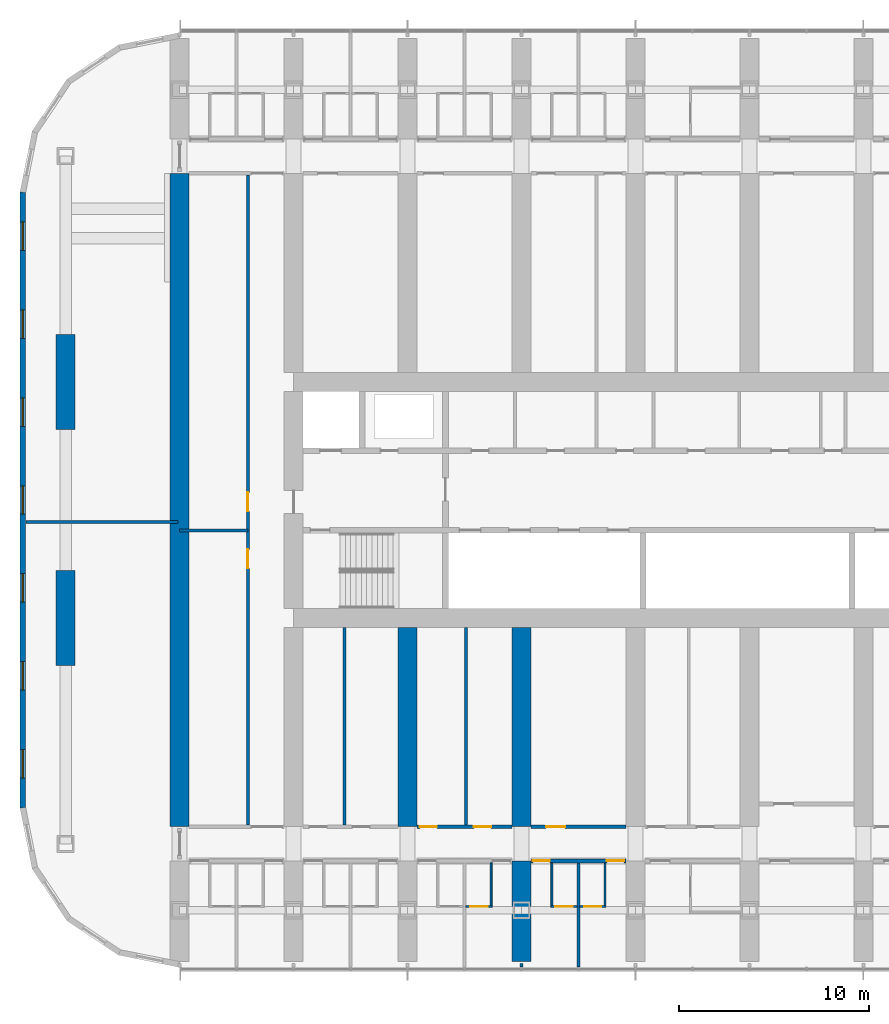
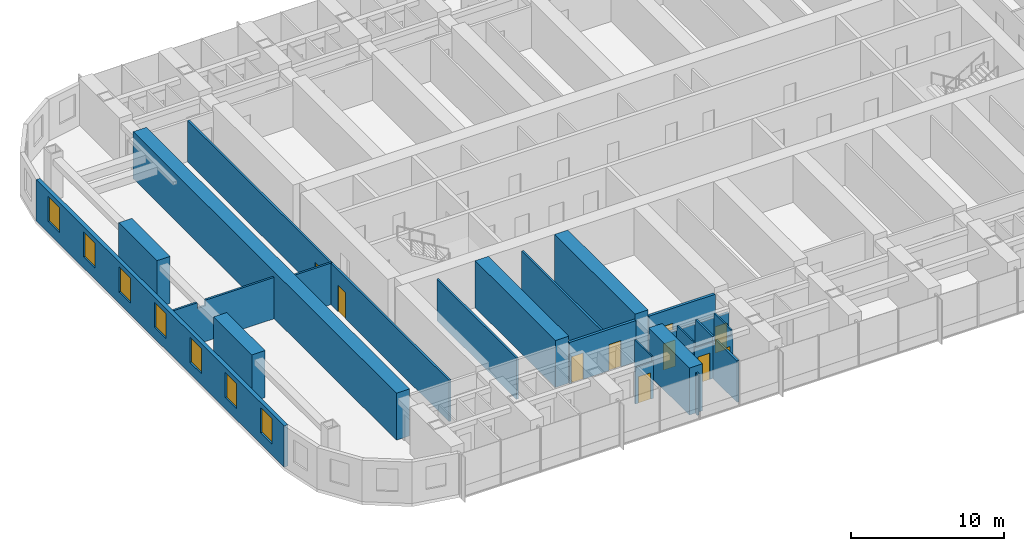
# One storey, part 11 of 24: 23 walls, 10 doors, 7 windows, 17 openings.
"""IFC4 building model written with IfcOpenShell, lengths in metres."""

from ifc_helpers import new_model, si_unit, direction, frame, frame_2d, origin, place, context, subcontext, project, spatial, polyline, rectangle, outline, extrude, material, layer, layer_set, type_object, element, fill, save


model = new_model("IFC4")

# Units and contexts
model_context = context("Model", 3, precision=1e-05, world=origin(), true_north=direction((0.0, 1.0)))
body_context = subcontext(model_context, "Body", "Model", "MODEL_VIEW")
ifc_project = project(units=[si_unit("LENGTHUNIT", "METRE"), si_unit("AREAUNIT", "SQUARE_METRE"), si_unit("VOLUMEUNIT", "CUBIC_METRE"), si_unit("PLANEANGLEUNIT", "RADIAN"), si_unit("MASSUNIT", "GRAM", prefix="KILO")], contexts=[model_context])

# Site, building, storey
site_placement = place(None, origin())
site = spatial("IfcSite", under=ifc_project, at=site_placement, CompositionType="ELEMENT")
building_placement = place(site_placement, origin())
building = spatial("IfcBuilding", under=site, at=building_placement, Name="Orbita Commons", CompositionType="ELEMENT")
storey_placement = place(building_placement, frame((0.0, 0.0, 35.199951171875)))
storey = spatial("IfcBuildingStorey", under=building, at=storey_placement, Name="L08", CompositionType="ELEMENT", Elevation=35.199951171875)

# Wall, openings, doors
ifc_material_1 = material(Name="Concrete blockwork", Category="masonry")
ifc_layer_1 = layer(ifc_material_1, 0.199951171875)
ifc_layer_set_1 = layer_set([ifc_layer_1], Name="Concrete blockwork")
wall_type_1 = type_object("IfcWallType", Name="Corridor wall 200 blockwork", PredefinedType="SOLIDWALL", material=ifc_layer_set_1)
wall_1_placement = place(storey_placement, frame((30.5, 13.0, 0.0), z_axis=(0.0, 0.0, 1.0), x_axis=(1.0, 0.0, 0.0)))
wall_1 = element("IfcWall", 1, at=wall_1_placement, inside=storey, type_object=wall_type_1, Name="Corridor wall 200 blockwork L08", PredefinedType="SOLIDWALL", context=body_context, shape_type="SweptSolid", body=[
    extrude(outline(polyline([(0.0, 0.0), (5.0, 0.0), (5.0, 2.900146484375), (0.0, 2.900146484375), (0.0, 0.0)])), frame((0.0, 0.10009765625, 0.0), z_axis=(0.0, -1.0, 0.0), x_axis=(1.0, 0.0, 0.0)), (0.0, 0.0, 1.0), 0.199951171875),
])
opening_1_placement = place(wall_1_placement, frame((0.10009765625, 0.0, 0.0)))
opening_1 = element("IfcOpeningElement", 2, at=opening_1_placement, cuts=wall_1, Name="Opening D11", PredefinedType="OPENING", context=body_context, shape_type="SweptSolid", body=[
    extrude(rectangle(XDim=0.89990234375, YDim=2.10009765625, at=frame_2d((0.449951171875, 1.050048828125))), frame((0.0, 0.10986328125, 0.0), z_axis=(0.0, -1.0, 0.0), x_axis=(1.0, 0.0, 0.0)), (0.0, 0.0, 1.0), 0.219970703125),
])
opening_2_placement = place(wall_1_placement, frame((4.0, 0.0, 0.0)))
opening_2 = element("IfcOpeningElement", 3, at=opening_2_placement, cuts=wall_1, Name="Opening D11", PredefinedType="OPENING", context=body_context, shape_type="SweptSolid", body=[
    extrude(rectangle(XDim=0.89990234375, YDim=2.10009765625, at=frame_2d((0.449951171875, 1.050048828125))), frame((0.0, 0.10986328125, 0.0), z_axis=(0.0, -1.0, 0.0), x_axis=(1.0, 0.0, 0.0)), (0.0, 0.0, 1.0), 0.219970703125),
])
ifc_material_2 = material(Name="Steel-faced fire door leaf", Category="steel")
door_type_1 = type_object("IfcDoorType", Name="Corridor door 20 min 900x2100", OperationType="SINGLE_SWING_LEFT", PredefinedType="DOOR", material=ifc_material_2)
door_1_placement = place(opening_1_placement, origin())
door_1 = element("IfcDoor", 4, at=door_1_placement, inside=storey, type_object=door_type_1, Name="House bedroom L08-S06 door", OperationType="SINGLE_SWING_LEFT", OverallHeight=2.10009765625, OverallWidth=0.89990234375, PredefinedType="DOOR", context=body_context, shape_type="SweptSolid", body=[
    extrude(rectangle(XDim=0.89990234375, YDim=2.10009765625, at=frame_2d((0.449951171875, 1.050048828125))), frame((0.0, 0.02490234375, 0.0), z_axis=(0.0, -1.0, 0.0), x_axis=(1.0, 0.0, 0.0)), (0.0, 0.0, 1.0), 0.050048828125),
])
fill(opening_1, door_1)
door_2_placement = place(opening_2_placement, origin())
door_2 = element("IfcDoor", 5, at=door_2_placement, inside=storey, type_object=door_type_1, Name="House bedroom L08-S07 door", OperationType="SINGLE_SWING_LEFT", OverallHeight=2.10009765625, OverallWidth=0.89990234375, PredefinedType="DOOR", context=body_context, shape_type="SweptSolid", body=[
    extrude(rectangle(XDim=0.89990234375, YDim=2.10009765625, at=frame_2d((0.449951171875, 1.050048828125))), frame((0.0, 0.02490234375, 0.0), z_axis=(0.0, -1.0, 0.0), x_axis=(1.0, 0.0, 0.0)), (0.0, 0.0, 1.0), 0.050048828125),
])
fill(opening_2, door_2)

ifc_material_3 = material(Name="Hollow concrete block 200", Category="concrete")
ifc_layer_2 = layer(ifc_material_3, 0.199951171875)
ifc_layer_set_2 = layer_set([ifc_layer_2], Name="Hollow concrete block 200")
wall_type_2 = type_object("IfcWallType", Name="Corridor wall 200 hollow concrete block", PredefinedType="SOLIDWALL", material=ifc_layer_set_2)
wall_2_placement = place(storey_placement, frame((24.5, 14.800048828125, 0.0), z_axis=(0.0, 0.0, 1.0), x_axis=(1.0, 0.0, 0.0)))
wall_2 = element("IfcWall", 6, at=wall_2_placement, inside=storey, type_object=wall_type_2, Name="Corridor wall 200 hollow concrete block L08", PredefinedType="SOLIDWALL", context=body_context, shape_type="SweptSolid", body=[
    extrude(rectangle(XDim=5.0, YDim=0.199951171875, at=frame_2d((2.5, 0.0))), origin(), (0.0, 0.0, 1.0), 3.300048828125),
])
opening_3_placement = place(wall_2_placement, frame((0.14990234375, 0.0, 0.0)))
opening_3 = element("IfcOpeningElement", 7, at=opening_3_placement, cuts=wall_2, Name="Opening D11", PredefinedType="OPENING", context=body_context, shape_type="SweptSolid", body=[
    extrude(rectangle(XDim=0.89990234375, YDim=2.10009765625, at=frame_2d((0.449951171875, 1.050048828125))), frame((0.0, 0.10986328125, 0.0), z_axis=(0.0, -1.0, 0.0), x_axis=(1.0, 0.0, 0.0)), (0.0, 0.0, 1.0), 0.219970703125),
])
opening_4_placement = place(wall_2_placement, frame((3.0, 0.0, 0.0)))
opening_4 = element("IfcOpeningElement", 8, at=opening_4_placement, cuts=wall_2, Name="Opening D11", PredefinedType="OPENING", context=body_context, shape_type="SweptSolid", body=[
    extrude(rectangle(XDim=0.89990234375, YDim=2.10009765625, at=frame_2d((0.449951171875, 1.050048828125))), frame((0.0, 0.10986328125, 0.0), z_axis=(0.0, -1.0, 0.0), x_axis=(1.0, 0.0, 0.0)), (0.0, 0.0, 1.0), 0.219970703125),
])
door_3_placement = place(opening_3_placement, origin())
door_3 = element("IfcDoor", 9, at=door_3_placement, inside=storey, type_object=door_type_1, Name="Equipment store L08-BDS24n door", OperationType="SINGLE_SWING_LEFT", OverallHeight=2.10009765625, OverallWidth=0.89990234375, PredefinedType="DOOR", context=body_context, shape_type="SweptSolid", body=[
    extrude(rectangle(XDim=0.89990234375, YDim=2.10009765625, at=frame_2d((0.449951171875, 1.050048828125))), frame((0.0, 0.02490234375, 0.0), z_axis=(0.0, -1.0, 0.0), x_axis=(1.0, 0.0, 0.0)), (0.0, 0.0, 1.0), 0.050048828125),
])
fill(opening_3, door_3)
door_4_placement = place(opening_4_placement, origin())
door_4 = element("IfcDoor", 10, at=door_4_placement, inside=storey, type_object=door_type_1, Name="Bicycle repair workshop L08-BDS24 door", OperationType="SINGLE_SWING_LEFT", OverallHeight=2.10009765625, OverallWidth=0.89990234375, PredefinedType="DOOR", context=body_context, shape_type="SweptSolid", body=[
    extrude(rectangle(XDim=0.89990234375, YDim=2.10009765625, at=frame_2d((0.449951171875, 1.050048828125))), frame((0.0, 0.02490234375, 0.0), z_axis=(0.0, -1.0, 0.0), x_axis=(1.0, 0.0, 0.0)), (0.0, 0.0, 1.0), 0.050048828125),
])
fill(opening_4, door_4)

# Wall, opening, door
wall_3_placement = place(storey_placement, frame((30.5, 14.800048828125, 0.0), z_axis=(0.0, 0.0, 1.0), x_axis=(1.0, 0.0, 0.0)))
wall_3 = element("IfcWall", 11, at=wall_3_placement, inside=storey, type_object=wall_type_2, Name="Corridor wall 200 hollow concrete block L08", PredefinedType="SOLIDWALL", context=body_context, shape_type="SweptSolid", body=[
    extrude(rectangle(XDim=5.0, YDim=0.199951171875, at=frame_2d((2.5, 0.0))), origin(), (0.0, 0.0, 1.0), 3.300048828125),
])
opening_5_placement = place(wall_3_placement, frame((0.800048828125, 0.0, 0.0)))
opening_5 = element("IfcOpeningElement", 12, at=opening_5_placement, cuts=wall_3, Name="Opening D06", PredefinedType="OPENING", context=body_context, shape_type="SweptSolid", body=[
    extrude(rectangle(XDim=1.0, YDim=2.10009765625, at=frame_2d((0.5, 1.050048828125))), frame((0.0, 0.10986328125, 0.0), z_axis=(0.0, -1.0, 0.0), x_axis=(1.0, 0.0, 0.0)), (0.0, 0.0, 1.0), 0.219970703125),
])
ifc_material_4 = material(Name="Steel-faced fire door leaf", Category="steel")
door_type_2 = type_object("IfcDoorType", Name="Corridor door 20 min 1000x2100", OperationType="SINGLE_SWING_LEFT", PredefinedType="DOOR", material=ifc_material_4)
door_5_placement = place(opening_5_placement, origin())
door_5 = element("IfcDoor", 13, at=door_5_placement, inside=storey, type_object=door_type_2, Name="House pantry L08-BDS30 door", OperationType="SINGLE_SWING_LEFT", OverallHeight=2.10009765625, OverallWidth=1.0, PredefinedType="DOOR", context=body_context, shape_type="SweptSolid", body=[
    extrude(rectangle(XDim=1.0, YDim=2.10009765625, at=frame_2d((0.5, 1.050048828125))), frame((0.0, 0.02490234375, 0.0), z_axis=(0.0, -1.0, 0.0), x_axis=(1.0, 0.0, 0.0)), (0.0, 0.0, 1.0), 0.050048828125),
])
fill(opening_5, door_5)

# Walls
ifc_material_5 = material(Name="Concrete C50/60", Category="concrete")
ifc_layer_3 = layer(ifc_material_5, 1.0)
ifc_layer_set_3 = layer_set([ifc_layer_3], Name="Concrete C50/60")
wall_type_3 = type_object("IfcWallType", Name="Cross wall 1000 C50/60", PredefinedType="SHEAR", material=ifc_layer_set_3)
wall_4_placement = place(storey_placement, frame((12.0, 14.800048828125, 0.0), z_axis=(0.0, 0.0, 1.0), x_axis=(0.0, 1.0, 0.0)))
element("IfcWall", 14, at=wall_4_placement, inside=storey, type_object=wall_type_3, Name="Cross wall 3 inner L08", PredefinedType="SHEAR", context=body_context, shape_type="SweptSolid", body=[
    extrude(rectangle(XDim=34.39990234375, YDim=1.0, at=frame_2d((17.199951171875, 0.0))), origin(), (0.0, 0.0, 1.0), 3.75),
])
wall_5_placement = place(storey_placement, frame((24.0, 14.800048828125, 0.0), z_axis=(0.0, 0.0, 1.0), x_axis=(0.0, 1.0, 0.0)))
element("IfcWall", 15, at=wall_5_placement, inside=storey, type_object=wall_type_3, Name="Cross wall 5 south inner L08", PredefinedType="SHEAR", context=body_context, shape_type="SweptSolid", body=[
    extrude(rectangle(XDim=10.5, YDim=1.0, at=frame_2d((5.25, 0.0))), origin(), (0.0, 0.0, 1.0), 3.75),
])
wall_6_placement = place(storey_placement, frame((30.0, 7.699951171875, 0.0), z_axis=(0.0, 0.0, 1.0), x_axis=(0.0, 1.0, 0.0)))
element("IfcWall", 16, at=wall_6_placement, inside=storey, type_object=wall_type_3, Name="Cross wall 6 south outer L08", PredefinedType="SHEAR", context=body_context, shape_type="SweptSolid", body=[
    extrude(rectangle(XDim=5.300048828125, YDim=1.0, at=frame_2d((2.64990234375, 0.0))), origin(), (0.0, 0.0, 1.0), 3.75),
])
wall_7_placement = place(storey_placement, frame((30.0, 14.800048828125, 0.0), z_axis=(0.0, 0.0, 1.0), x_axis=(0.0, 1.0, 0.0)))
element("IfcWall", 17, at=wall_7_placement, inside=storey, type_object=wall_type_3, Name="Cross wall 6 south inner L08", PredefinedType="SHEAR", context=body_context, shape_type="SweptSolid", body=[
    extrude(rectangle(XDim=10.5, YDim=1.0, at=frame_2d((5.25, 0.0))), origin(), (0.0, 0.0, 1.0), 3.75),
])

# Wall, opening, door
ifc_material_6 = material(Name="Moisture-resistant plasterboard on steel studs", Category="steel")
ifc_layer_4 = layer(ifc_material_6, 0.10009765625)
ifc_layer_set_4 = layer_set([ifc_layer_4], Name="Moisture-resistant plasterboard on steel studs")
wall_type_4 = type_object("IfcWallType", Name="En-suite partition 100", PredefinedType="PARTITIONING", material=ifc_layer_set_4)
wall_8_placement = place(storey_placement, frame((28.449951171875, 10.59814453125, 0.0), z_axis=(0.0, 0.0, 1.0), x_axis=(-1.0, 0.0, 0.0)))
wall_8 = element("IfcWall", 18, at=wall_8_placement, inside=storey, type_object=wall_type_4, Name="En-suite partition 100 L08", PredefinedType="PARTITIONING", context=body_context, shape_type="SweptSolid", body=[
    extrude(outline(polyline([(0.0, 0.0), (1.375, 0.0), (1.375, 2.900146484375), (0.0, 2.900146484375), (0.0, 0.0)])), frame((0.0, 0.050048828125, 0.0), z_axis=(0.0, -1.0, 0.0), x_axis=(1.0, 0.0, 0.0)), (0.0, 0.0, 1.0), 0.10009765625),
])
opening_6_placement = place(wall_8_placement, frame((0.237548828125, 0.0, 0.0)))
opening_6 = element("IfcOpeningElement", 19, at=opening_6_placement, cuts=wall_8, Name="Opening D09", PredefinedType="OPENING", context=body_context, shape_type="SweptSolid", body=[
    extrude(rectangle(XDim=0.89990234375, YDim=2.10009765625, at=frame_2d((0.449951171875, 1.050048828125))), frame((0.0, 0.06005859375, 0.0), z_axis=(0.0, -1.0, 0.0), x_axis=(1.0, 0.0, 0.0)), (0.0, 0.0, 1.0), 0.1201171875),
])
ifc_material_7 = material(Name="Laminated timber door leaf", Category="wood")
door_type_3 = type_object("IfcDoorType", Name="En-suite door 900x2100", OperationType="SINGLE_SWING_RIGHT", PredefinedType="DOOR", material=ifc_material_7)
door_6_placement = place(opening_6_placement, origin())
door_6 = element("IfcDoor", 20, at=door_6_placement, inside=storey, type_object=door_type_3, Name="En-suite L08-S05 door", OperationType="SINGLE_SWING_RIGHT", OverallHeight=2.10009765625, OverallWidth=0.89990234375, PredefinedType="DOOR", context=body_context, shape_type="SweptSolid", body=[
    extrude(rectangle(XDim=0.89990234375, YDim=2.10009765625, at=frame_2d((0.449951171875, 1.050048828125))), frame((0.0, 0.02490234375, 0.0), z_axis=(0.0, -1.0, 0.0), x_axis=(1.0, 0.0, 0.0)), (0.0, 0.0, 1.0), 0.050048828125),
])
fill(opening_6, door_6)

# Wall
wall_9_placement = place(storey_placement, frame((28.39990234375, 10.648193359375, 0.0), z_axis=(0.0, 0.0, 1.0), x_axis=(0.0, 1.0, 0.0)))
element("IfcWall", 21, at=wall_9_placement, inside=storey, type_object=wall_type_4, Name="En-suite partition 100 L08", PredefinedType="PARTITIONING", context=body_context, shape_type="SweptSolid", body=[
    extrude(outline(polyline([(0.0, 0.0), (2.251708984375, 0.0), (2.251953125, 2.900146484375), (2.203857421875, 2.900146484375), (2.201904296875, 3.300048828125), (0.0, 3.300048828125), (0.0, 0.0)])), frame((0.0, 0.050048828125, 0.0), z_axis=(0.0, -1.0, 0.0), x_axis=(1.0, 0.0, 0.0)), (0.0, 0.0, 1.0), 0.10009765625),
])

# Wall, opening, door
wall_10_placement = place(storey_placement, frame((32.925048828125, 10.59814453125, 0.0), z_axis=(0.0, 0.0, 1.0), x_axis=(-1.0, 0.0, 0.0)))
wall_10 = element("IfcWall", 22, at=wall_10_placement, inside=storey, type_object=wall_type_4, Name="En-suite partition 100 L08", PredefinedType="PARTITIONING", context=body_context, shape_type="SweptSolid", body=[
    extrude(outline(polyline([(0.0, 0.0), (1.375, 0.0), (1.375, 2.900146484375), (0.0, 2.900146484375), (0.0, 0.0)])), frame((0.0, 0.050048828125, 0.0), z_axis=(0.0, -1.0, 0.0), x_axis=(1.0, 0.0, 0.0)), (0.0, 0.0, 1.0), 0.10009765625),
])
opening_7_placement = place(wall_10_placement, frame((0.237548828125, 0.0, 0.0)))
opening_7 = element("IfcOpeningElement", 23, at=opening_7_placement, cuts=wall_10, Name="Opening D09", PredefinedType="OPENING", context=body_context, shape_type="SweptSolid", body=[
    extrude(rectangle(XDim=0.89990234375, YDim=2.10009765625, at=frame_2d((0.449951171875, 1.050048828125))), frame((0.0, 0.06005859375, 0.0), z_axis=(0.0, -1.0, 0.0), x_axis=(1.0, 0.0, 0.0)), (0.0, 0.0, 1.0), 0.1201171875),
])
door_7_placement = place(opening_7_placement, origin())
door_7 = element("IfcDoor", 24, at=door_7_placement, inside=storey, type_object=door_type_3, Name="En-suite L08-S06 door", OperationType="SINGLE_SWING_RIGHT", OverallHeight=2.10009765625, OverallWidth=0.89990234375, PredefinedType="DOOR", context=body_context, shape_type="SweptSolid", body=[
    extrude(rectangle(XDim=0.89990234375, YDim=2.10009765625, at=frame_2d((0.449951171875, 1.050048828125))), frame((0.0, 0.02490234375, 0.0), z_axis=(0.0, -1.0, 0.0), x_axis=(1.0, 0.0, 0.0)), (0.0, 0.0, 1.0), 0.050048828125),
])
fill(opening_7, door_7)

# Wall
wall_11_placement = place(storey_placement, frame((31.60009765625, 10.648193359375, 0.0), z_axis=(0.0, 0.0, 1.0), x_axis=(0.0, 1.0, 0.0)))
element("IfcWall", 25, at=wall_11_placement, inside=storey, type_object=wall_type_4, Name="En-suite partition 100 L08", PredefinedType="PARTITIONING", context=body_context, shape_type="SweptSolid", body=[
    extrude(outline(polyline([(0.0, 0.0), (2.251708984375, 0.0), (2.251953125, 2.900146484375), (2.203857421875, 2.900146484375), (2.201904296875, 3.300048828125), (0.0, 3.300048828125), (0.0, 0.0)])), frame((0.0, 0.050048828125, 0.0), z_axis=(0.0, -1.0, 0.0), x_axis=(1.0, 0.0, 0.0)), (0.0, 0.0, 1.0), 0.10009765625),
])

# Wall, opening, door
wall_12_placement = place(storey_placement, frame((34.449951171875, 10.59814453125, 0.0), z_axis=(0.0, 0.0, 1.0), x_axis=(-1.0, 0.0, 0.0)))
wall_12 = element("IfcWall", 26, at=wall_12_placement, inside=storey, type_object=wall_type_4, Name="En-suite partition 100 L08", PredefinedType="PARTITIONING", context=body_context, shape_type="SweptSolid", body=[
    extrude(outline(polyline([(0.0, 0.0), (1.375, 0.0), (1.375, 2.900146484375), (0.0, 2.900146484375), (0.0, 0.0)])), frame((0.0, 0.050048828125, 0.0), z_axis=(0.0, -1.0, 0.0), x_axis=(1.0, 0.0, 0.0)), (0.0, 0.0, 1.0), 0.10009765625),
])
opening_8_placement = place(wall_12_placement, frame((0.237548828125, 0.0, 0.0)))
opening_8 = element("IfcOpeningElement", 27, at=opening_8_placement, cuts=wall_12, Name="Opening D09", PredefinedType="OPENING", context=body_context, shape_type="SweptSolid", body=[
    extrude(rectangle(XDim=0.89990234375, YDim=2.10009765625, at=frame_2d((0.449951171875, 1.050048828125))), frame((0.0, 0.06005859375, 0.0), z_axis=(0.0, -1.0, 0.0), x_axis=(1.0, 0.0, 0.0)), (0.0, 0.0, 1.0), 0.1201171875),
])
door_8_placement = place(opening_8_placement, origin())
door_8 = element("IfcDoor", 28, at=door_8_placement, inside=storey, type_object=door_type_3, Name="En-suite L08-S07 door", OperationType="SINGLE_SWING_RIGHT", OverallHeight=2.10009765625, OverallWidth=0.89990234375, PredefinedType="DOOR", context=body_context, shape_type="SweptSolid", body=[
    extrude(rectangle(XDim=0.89990234375, YDim=2.10009765625, at=frame_2d((0.449951171875, 1.050048828125))), frame((0.0, 0.02490234375, 0.0), z_axis=(0.0, -1.0, 0.0), x_axis=(1.0, 0.0, 0.0)), (0.0, 0.0, 1.0), 0.050048828125),
])
fill(opening_8, door_8)

# Walls
wall_13_placement = place(storey_placement, frame((34.39990234375, 10.648193359375, 0.0), z_axis=(0.0, 0.0, 1.0), x_axis=(0.0, 1.0, 0.0)))
element("IfcWall", 29, at=wall_13_placement, inside=storey, type_object=wall_type_4, Name="En-suite partition 100 L08", PredefinedType="PARTITIONING", context=body_context, shape_type="SweptSolid", body=[
    extrude(outline(polyline([(0.0, 0.0), (2.251708984375, 0.0), (2.251953125, 2.900146484375), (2.203857421875, 2.900146484375), (2.201904296875, 3.300048828125), (0.0, 3.300048828125), (0.0, 0.0)])), frame((0.0, 0.050048828125, 0.0), z_axis=(0.0, -1.0, 0.0), x_axis=(1.0, 0.0, 0.0)), (0.0, 0.0, 1.0), 0.10009765625),
])
ifc_material_8 = material(Name="Concrete C50/60", Category="concrete")
ifc_layer_5 = layer(ifc_material_8, 1.0)
ifc_layer_set_5 = layer_set([ifc_layer_5], Name="Concrete C50/60")
wall_type_5 = type_object("IfcWallType", Name="End pier 1000x5000 C50/60", PredefinedType="SHEAR", material=ifc_layer_set_5)
for number, where, z_axis, x_axis, name in (
    (30, (6.0, 23.300048828125, 0.0), (0.0, 0.0, 1.0), (0.0, 1.0, 0.0), "End pier 2/C L08"),
    (31, (6.0, 35.699951171875, 0.0), (0.0, 0.0, 1.0), (0.0, 1.0, 0.0), "End pier 2/D L08"),
):
    element("IfcWall", number, at=place(storey_placement, frame(where, z_axis=z_axis, x_axis=x_axis)), inside=storey, type_object=wall_type_5, Name=name, PredefinedType="SHEAR", context=body_context, shape_type="SweptSolid", body=[
        extrude(rectangle(XDim=5.0, YDim=1.0, at=frame_2d((2.5, 0.0))), origin(), (0.0, 0.0, 1.0), 3.75),
    ])
ifc_material_9 = material(Name="Gypsum plasterboard on steel studs", Category="steel")
ifc_layer_6 = layer(ifc_material_9, 0.14990234375)
ifc_layer_set_6 = layer_set([ifc_layer_6], Name="Gypsum plasterboard on steel studs")
wall_type_6 = type_object("IfcWallType", Name="Partition 150 plasterboard", PredefinedType="PARTITIONING", material=ifc_layer_set_6)
for number, where, z_axis, x_axis, name in (
    (32, (20.679931640625, 14.89990234375, 0.0), (0.0, 0.0, 1.0), (0.0, 1.0, 0.0), "Partition 150 plasterboard L08"),
    (33, (27.074951171875, 14.89990234375, 0.0), (0.0, 0.0, 1.0), (0.0, 1.0, 0.0), "Partition 150 plasterboard L08"),
):
    element("IfcWall", number, at=place(storey_placement, frame(where, z_axis=z_axis, x_axis=x_axis)), inside=storey, type_object=wall_type_6, Name=name, PredefinedType="PARTITIONING", context=body_context, shape_type="SweptSolid", body=[
        extrude(rectangle(XDim=10.400146484375, YDim=0.14990234375, at=frame_2d((5.2001953125, 0.0))), origin(), (0.0, 0.0, 1.0), 3.300048828125),
    ])

# Wall, openings, doors
wall_14_placement = place(storey_placement, frame((15.60009765625, 14.89990234375, 0.0), z_axis=(0.0, 0.0, 1.0), x_axis=(0.0, 1.0, 0.0)))
wall_14 = element("IfcWall", 34, at=wall_14_placement, inside=storey, type_object=wall_type_6, Name="Partition 150 plasterboard L08", PredefinedType="PARTITIONING", context=body_context, shape_type="SweptSolid", body=[
    extrude(rectangle(XDim=34.2001953125, YDim=0.14990234375, at=frame_2d((17.10009765625, 0.0))), origin(), (0.0, 0.0, 1.0), 3.300048828125),
])
opening_9_placement = place(wall_14_placement, frame((13.5, 0.0, 0.0)))
opening_9 = element("IfcOpeningElement", 35, at=opening_9_placement, cuts=wall_14, Name="Opening D06", PredefinedType="OPENING", context=body_context, shape_type="SweptSolid", body=[
    extrude(rectangle(XDim=1.0, YDim=2.10009765625, at=frame_2d((0.5, 1.050048828125))), frame((0.0, 0.0849609375, 0.0), z_axis=(0.0, -1.0, 0.0), x_axis=(1.0, 0.0, 0.0)), (0.0, 0.0, 1.0), 0.169921875),
])
opening_10_placement = place(wall_14_placement, frame((16.5, 0.0, 0.0)))
opening_10 = element("IfcOpeningElement", 36, at=opening_10_placement, cuts=wall_14, Name="Opening D06", PredefinedType="OPENING", context=body_context, shape_type="SweptSolid", body=[
    extrude(rectangle(XDim=1.0, YDim=2.10009765625, at=frame_2d((0.5, 1.050048828125))), frame((0.0, 0.0849609375, 0.0), z_axis=(0.0, -1.0, 0.0), x_axis=(1.0, 0.0, 0.0)), (0.0, 0.0, 1.0), 0.169921875),
])
door_9_placement = place(opening_9_placement, origin())
door_9 = element("IfcDoor", 37, at=door_9_placement, inside=storey, type_object=door_type_2, Name="Interview room door", OperationType="SINGLE_SWING_LEFT", OverallHeight=2.10009765625, OverallWidth=1.0, PredefinedType="DOOR", context=body_context, shape_type="SweptSolid", body=[
    extrude(rectangle(XDim=1.0, YDim=2.10009765625, at=frame_2d((0.5, 1.050048828125))), frame((0.0, 0.02490234375, 0.0), z_axis=(0.0, -1.0, 0.0), x_axis=(1.0, 0.0, 0.0)), (0.0, 0.0, 1.0), 0.050048828125),
])
fill(opening_9, door_9)
door_10_placement = place(opening_10_placement, origin())
door_10 = element("IfcDoor", 38, at=door_10_placement, inside=storey, type_object=door_type_2, Name="Residents' storage room door", OperationType="SINGLE_SWING_LEFT", OverallHeight=2.10009765625, OverallWidth=1.0, PredefinedType="DOOR", context=body_context, shape_type="SweptSolid", body=[
    extrude(rectangle(XDim=1.0, YDim=2.10009765625, at=frame_2d((0.5, 1.050048828125))), frame((0.0, 0.02490234375, 0.0), z_axis=(0.0, -1.0, 0.0), x_axis=(1.0, 0.0, 0.0)), (0.0, 0.0, 1.0), 0.050048828125),
])
fill(opening_10, door_10)

# Walls
wall_15_placement = place(storey_placement, frame((12.0, 30.39990234375, 0.0), z_axis=(0.0, 0.0, 1.0), x_axis=(1.0, 0.0, 0.0)))
element("IfcWall", 39, at=wall_15_placement, inside=storey, type_object=wall_type_6, Name="Partition 150 plasterboard L08", PredefinedType="PARTITIONING", context=body_context, shape_type="SweptSolid", body=[
    extrude(rectangle(XDim=3.60009765625, YDim=0.14990234375, at=frame_2d((1.800048828125, 0.0))), origin(), (0.0, 0.0, 1.0), 3.300048828125),
])
wall_16_placement = place(storey_placement, frame((3.905029296875, 30.85009765625, 0.0), z_axis=(0.0, 0.0, 1.0), x_axis=(1.0, 0.0, 0.0)))
element("IfcWall", 40, at=wall_16_placement, inside=storey, type_object=wall_type_6, Name="Partition 150 plasterboard L08", PredefinedType="PARTITIONING", context=body_context, shape_type="SweptSolid", body=[
    extrude(outline(polyline([(0.0, 0.0), (8.02001953125, 0.0), (8.02001953125, 3.300048828125), (2.39697265625, 3.300048828125), (2.39501953125, 2.85009765625), (1.797119140625, 2.85009765625), (1.794921875, 3.300048828125), (0.0, 3.300048828125), (0.0, 0.0)])), frame((0.0, 0.074951171875, 0.0), z_axis=(0.0, -1.0, 0.0), x_axis=(1.0, 0.0, 0.0)), (0.0, 0.0, 1.0), 0.14990234375),
])
wall_17_placement = place(storey_placement, frame((30.0, 7.60009765625, 0.0), z_axis=(0.0, 0.0, 1.0), x_axis=(0.0, -1.0, 0.0)))
element("IfcWall", 41, at=wall_17_placement, inside=storey, type_object=wall_type_6, Name="Partition 150 plasterboard L08", PredefinedType="PARTITIONING", context=body_context, shape_type="SweptSolid", body=[
    extrude(rectangle(XDim=0.190185546875, YDim=0.14990234375, at=frame_2d((0.09521484375, 0.0))), origin(), (0.0, 0.0, 1.0), 3.300048828125),
])
ifc_material_10 = material(Name="Gypsum plasterboard on steel studs", Category="steel")
ifc_layer_7 = layer(ifc_material_10, 0.14990234375)
ifc_layer_set_7 = layer_set([ifc_layer_7], Name="Gypsum plasterboard on steel studs")
wall_type_7 = type_object("IfcWallType", Name="Party wall 150 plasterboard", PredefinedType="PARTITIONING", material=ifc_layer_set_7)
wall_18_placement = place(storey_placement, frame((33.0, 7.409912109375, 0.0), z_axis=(0.0, 0.0, 1.0), x_axis=(0.0, 1.0, 0.0)))
element("IfcWall", 42, at=wall_18_placement, inside=storey, type_object=wall_type_7, Name="Party wall 150 plasterboard L08", PredefinedType="PARTITIONING", context=body_context, shape_type="SweptSolid", body=[
    extrude(outline(polyline([(0.0, 0.0), (5.489990234375, 0.0), (5.489990234375, 2.900146484375), (5.44189453125, 2.900146484375), (5.43994140625, 3.300048828125), (3.19189453125, 3.300048828125), (3.18994140625, 2.900146484375), (2.7919921875, 2.900146484375), (2.7900390625, 3.300048828125), (0.0, 3.300048828125), (0.0, 0.0)])), frame((0.0, 0.074951171875, 0.0), z_axis=(0.0, -1.0, 0.0), x_axis=(1.0, 0.0, 0.0)), (0.0, 0.0, 1.0), 0.14990234375),
])

# Wall, openings, windows
ifc_material_11 = material(Name="Precast concrete C40/50, white board-marked finish", Category="concrete")
ifc_layer_8 = layer(ifc_material_11, 0.300048828125)
ifc_layer_set_8 = layer_set([ifc_layer_8], Name="Precast concrete C40/50, white board-marked finish")
wall_type_8 = type_object("IfcWallType", Name="Precast concrete end shield 300", PredefinedType="SOLIDWALL", material=ifc_layer_set_8)
wall_19_placement = place(storey_placement, frame((3.75, 48.199951171875, 0.0), z_axis=(0.0, 0.0, 1.0), x_axis=(0.0, -1.0, 0.0)))
wall_19 = element("IfcWall", 43, at=wall_19_placement, inside=storey, type_object=wall_type_8, Name="End shield W L08", PredefinedType="SOLIDWALL", context=body_context, shape_type="SweptSolid", body=[
    extrude(outline(polyline([(-0.014892578125, -0.14990234375), (32.414794921875, -0.14990234375), (32.385009765625, 0.14990234375), (0.014892578125, 0.14990234375), (-0.014892578125, -0.14990234375)])), origin(), (0.0, 0.0, 1.0), 3.300048828125),
])
opening_11_placement = place(wall_19_placement, frame((1.564208984375, 0.0, 0.89990234375)))
opening_11 = element("IfcOpeningElement", 44, at=opening_11_placement, cuts=wall_19, Name="Opening W01", PredefinedType="OPENING", context=body_context, shape_type="SweptSolid", body=[
    extrude(rectangle(XDim=1.5, YDim=2.0, at=frame_2d((0.75, 1.0))), frame((0.0, 0.159912109375, 0.0), z_axis=(0.0, -1.0, 0.0), x_axis=(1.0, 0.0, 0.0)), (0.0, 0.0, 1.0), 0.320068359375),
])
opening_12_placement = place(wall_19_placement, frame((6.19287109375, 0.0, 0.89990234375)))
opening_12 = element("IfcOpeningElement", 45, at=opening_12_placement, cuts=wall_19, Name="Opening W01", PredefinedType="OPENING", context=body_context, shape_type="SweptSolid", body=[
    extrude(rectangle(XDim=1.5, YDim=2.0, at=frame_2d((0.75, 1.0))), frame((0.0, 0.159912109375, 0.0), z_axis=(0.0, -1.0, 0.0), x_axis=(1.0, 0.0, 0.0)), (0.0, 0.0, 1.0), 0.320068359375),
])
opening_13_placement = place(wall_19_placement, frame((10.821533203125, 0.0, 0.89990234375)))
opening_13 = element("IfcOpeningElement", 46, at=opening_13_placement, cuts=wall_19, Name="Opening W01", PredefinedType="OPENING", context=body_context, shape_type="SweptSolid", body=[
    extrude(rectangle(XDim=1.5, YDim=2.0, at=frame_2d((0.75, 1.0))), frame((0.0, 0.159912109375, 0.0), z_axis=(0.0, -1.0, 0.0), x_axis=(1.0, 0.0, 0.0)), (0.0, 0.0, 1.0), 0.320068359375),
])
opening_14_placement = place(wall_19_placement, frame((15.449951171875, 0.0, 0.89990234375)))
opening_14 = element("IfcOpeningElement", 47, at=opening_14_placement, cuts=wall_19, Name="Opening W01", PredefinedType="OPENING", context=body_context, shape_type="SweptSolid", body=[
    extrude(rectangle(XDim=1.5, YDim=2.0, at=frame_2d((0.75, 1.0))), frame((0.0, 0.159912109375, 0.0), z_axis=(0.0, -1.0, 0.0), x_axis=(1.0, 0.0, 0.0)), (0.0, 0.0, 1.0), 0.320068359375),
])
opening_15_placement = place(wall_19_placement, frame((20.07861328125, 0.0, 0.89990234375)))
opening_15 = element("IfcOpeningElement", 48, at=opening_15_placement, cuts=wall_19, Name="Opening W01", PredefinedType="OPENING", context=body_context, shape_type="SweptSolid", body=[
    extrude(rectangle(XDim=1.5, YDim=2.0, at=frame_2d((0.75, 1.0))), frame((0.0, 0.159912109375, 0.0), z_axis=(0.0, -1.0, 0.0), x_axis=(1.0, 0.0, 0.0)), (0.0, 0.0, 1.0), 0.320068359375),
])
opening_16_placement = place(wall_19_placement, frame((24.70703125, 0.0, 0.89990234375)))
opening_16 = element("IfcOpeningElement", 49, at=opening_16_placement, cuts=wall_19, Name="Opening W01", PredefinedType="OPENING", context=body_context, shape_type="SweptSolid", body=[
    extrude(rectangle(XDim=1.5, YDim=2.0, at=frame_2d((0.75, 1.0))), frame((0.0, 0.159912109375, 0.0), z_axis=(0.0, -1.0, 0.0), x_axis=(1.0, 0.0, 0.0)), (0.0, 0.0, 1.0), 0.320068359375),
])
opening_17_placement = place(wall_19_placement, frame((29.335693359375, 0.0, 0.89990234375)))
opening_17 = element("IfcOpeningElement", 50, at=opening_17_placement, cuts=wall_19, Name="Opening W01", PredefinedType="OPENING", context=body_context, shape_type="SweptSolid", body=[
    extrude(rectangle(XDim=1.5, YDim=2.0, at=frame_2d((0.75, 1.0))), frame((0.0, 0.159912109375, 0.0), z_axis=(0.0, -1.0, 0.0), x_axis=(1.0, 0.0, 0.0)), (0.0, 0.0, 1.0), 0.320068359375),
])
ifc_material_12 = material(Name="Aluminium frame, clear double glazing", Category="aluminium")
window_type = type_object("IfcWindowType", Name="Deep-set window 1500x2000", PartitioningType="SINGLE_PANEL", PredefinedType="WINDOW", material=ifc_material_12)
window_1_placement = place(opening_11_placement, origin())
window_1 = element("IfcWindow", 51, at=window_1_placement, inside=storey, type_object=window_type, Name="Window L08-W 1", OverallHeight=2.0, OverallWidth=1.5, PartitioningType="SINGLE_PANEL", PredefinedType="WINDOW", context=body_context, shape_type="SweptSolid", body=[
    extrude(rectangle(XDim=1.5, YDim=2.0, at=frame_2d((0.75, 1.0))), frame((0.0, 0.030029296875, 0.0), z_axis=(0.0, -1.0, 0.0), x_axis=(1.0, 0.0, 0.0)), (0.0, 0.0, 1.0), 0.06005859375),
])
fill(opening_11, window_1)
window_2_placement = place(opening_12_placement, origin())
window_2 = element("IfcWindow", 52, at=window_2_placement, inside=storey, type_object=window_type, Name="Window L08-W 2", OverallHeight=2.0, OverallWidth=1.5, PartitioningType="SINGLE_PANEL", PredefinedType="WINDOW", context=body_context, shape_type="SweptSolid", body=[
    extrude(rectangle(XDim=1.5, YDim=2.0, at=frame_2d((0.75, 1.0))), frame((0.0, 0.030029296875, 0.0), z_axis=(0.0, -1.0, 0.0), x_axis=(1.0, 0.0, 0.0)), (0.0, 0.0, 1.0), 0.06005859375),
])
fill(opening_12, window_2)
window_3_placement = place(opening_13_placement, origin())
window_3 = element("IfcWindow", 53, at=window_3_placement, inside=storey, type_object=window_type, Name="Window L08-W 3", OverallHeight=2.0, OverallWidth=1.5, PartitioningType="SINGLE_PANEL", PredefinedType="WINDOW", context=body_context, shape_type="SweptSolid", body=[
    extrude(rectangle(XDim=1.5, YDim=2.0, at=frame_2d((0.75, 1.0))), frame((0.0, 0.030029296875, 0.0), z_axis=(0.0, -1.0, 0.0), x_axis=(1.0, 0.0, 0.0)), (0.0, 0.0, 1.0), 0.06005859375),
])
fill(opening_13, window_3)
window_4_placement = place(opening_14_placement, origin())
window_4 = element("IfcWindow", 54, at=window_4_placement, inside=storey, type_object=window_type, Name="Window L08-W 4", OverallHeight=2.0, OverallWidth=1.5, PartitioningType="SINGLE_PANEL", PredefinedType="WINDOW", context=body_context, shape_type="SweptSolid", body=[
    extrude(rectangle(XDim=1.5, YDim=2.0, at=frame_2d((0.75, 1.0))), frame((0.0, 0.030029296875, 0.0), z_axis=(0.0, -1.0, 0.0), x_axis=(1.0, 0.0, 0.0)), (0.0, 0.0, 1.0), 0.06005859375),
])
fill(opening_14, window_4)
window_5_placement = place(opening_15_placement, origin())
window_5 = element("IfcWindow", 55, at=window_5_placement, inside=storey, type_object=window_type, Name="Window L08-W 5", OverallHeight=2.0, OverallWidth=1.5, PartitioningType="SINGLE_PANEL", PredefinedType="WINDOW", context=body_context, shape_type="SweptSolid", body=[
    extrude(rectangle(XDim=1.5, YDim=2.0, at=frame_2d((0.75, 1.0))), frame((0.0, 0.030029296875, 0.0), z_axis=(0.0, -1.0, 0.0), x_axis=(1.0, 0.0, 0.0)), (0.0, 0.0, 1.0), 0.06005859375),
])
fill(opening_15, window_5)
window_6_placement = place(opening_16_placement, origin())
window_6 = element("IfcWindow", 56, at=window_6_placement, inside=storey, type_object=window_type, Name="Window L08-W 6", OverallHeight=2.0, OverallWidth=1.5, PartitioningType="SINGLE_PANEL", PredefinedType="WINDOW", context=body_context, shape_type="SweptSolid", body=[
    extrude(rectangle(XDim=1.5, YDim=2.0, at=frame_2d((0.75, 1.0))), frame((0.0, 0.030029296875, 0.0), z_axis=(0.0, -1.0, 0.0), x_axis=(1.0, 0.0, 0.0)), (0.0, 0.0, 1.0), 0.06005859375),
])
fill(opening_16, window_6)
window_7_placement = place(opening_17_placement, origin())
window_7 = element("IfcWindow", 57, at=window_7_placement, inside=storey, type_object=window_type, Name="Window L08-W 7", OverallHeight=2.0, OverallWidth=1.5, PartitioningType="SINGLE_PANEL", PredefinedType="WINDOW", context=body_context, shape_type="SweptSolid", body=[
    extrude(rectangle(XDim=1.5, YDim=2.0, at=frame_2d((0.75, 1.0))), frame((0.0, 0.030029296875, 0.0), z_axis=(0.0, -1.0, 0.0), x_axis=(1.0, 0.0, 0.0)), (0.0, 0.0, 1.0), 0.06005859375),
])
fill(opening_17, window_7)

save(model, "model.ifc")
